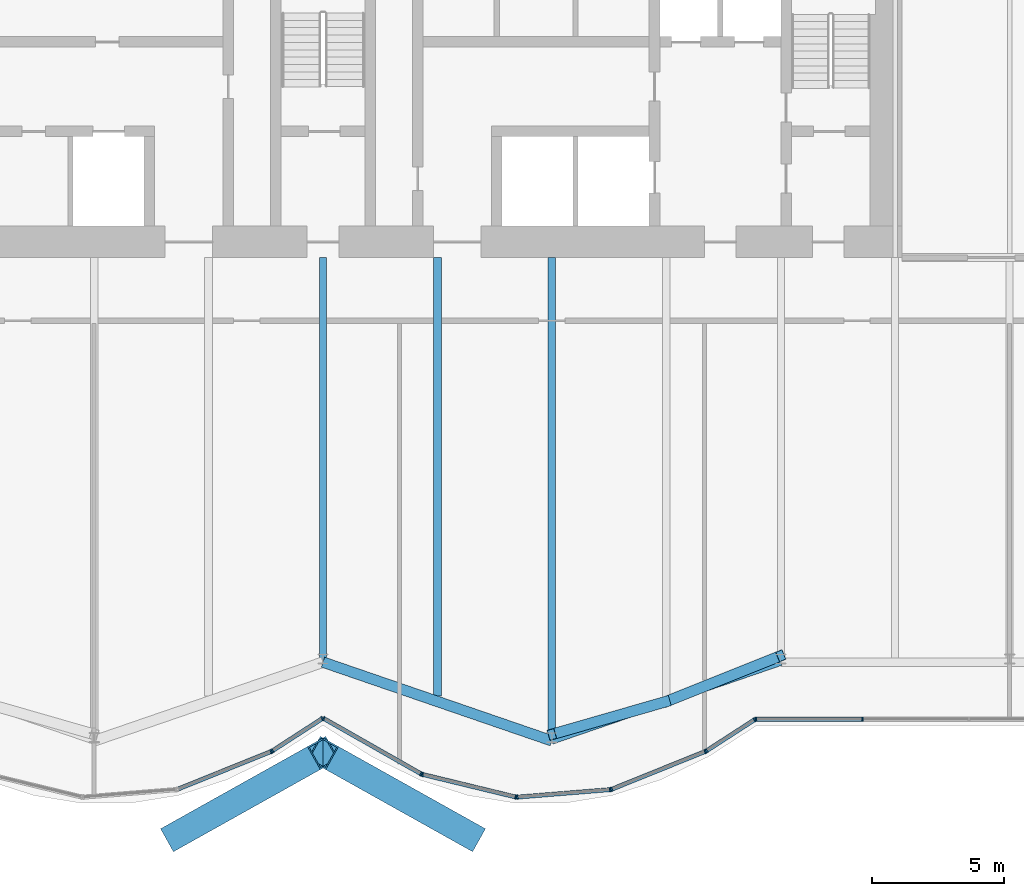
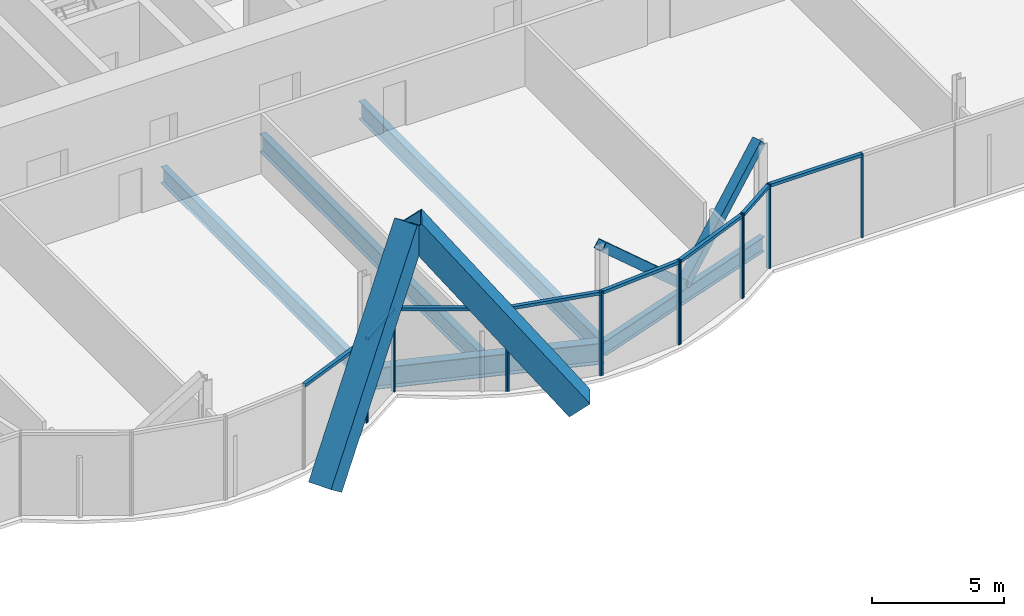
# One storey, part 8 of 20: 27 members, 5 beams, 3 elements without a shape of their own.
"""IFC4 building model written with IfcOpenShell, lengths in metres."""

from ifc_helpers import new_model, si_unit, direction, frame, origin, origin_2d, place, context, subcontext, project, spatial, rectangle, hollow_rectangle, i_section, extrude, material, material_profile, profile_set, type_object, element, aggregate, save


model = new_model("IFC4")

# Units and contexts
model_context = context("Model", 3, precision=1e-05, world=origin(), true_north=direction((0.0, 1.0)))
body_context = subcontext(model_context, "Body", "Model", "MODEL_VIEW")
ifc_project = project(units=[si_unit("LENGTHUNIT", "METRE"), si_unit("AREAUNIT", "SQUARE_METRE"), si_unit("VOLUMEUNIT", "CUBIC_METRE"), si_unit("PLANEANGLEUNIT", "RADIAN"), si_unit("MASSUNIT", "GRAM", prefix="KILO")], contexts=[model_context])

# Site, building, storey
site_placement = place(None, origin())
site = spatial("IfcSite", under=ifc_project, at=site_placement, CompositionType="ELEMENT")
building_placement = place(site_placement, origin())
building = spatial("IfcBuilding", under=site, at=building_placement, Name="Bicima Exchange Tower", CompositionType="ELEMENT")
storey_placement = place(building_placement, frame((0.0, 0.0, 231.89990234375)))
storey = spatial("IfcBuildingStorey", under=building, at=storey_placement, Name="L52", CompositionType="ELEMENT", Elevation=231.89990234375)

# Members
ifc_material_1 = material(Name="Steel ASTM A572 Gr 50", Category="steel")
ifc_material_profile_1 = material_profile(ifc_material_1, hollow_rectangle(XDim=1.0, YDim=1.0, WallThickness=0.06005859375, at=origin_2d()))
ifc_profile_set_1 = profile_set([ifc_material_profile_1], Name="Steel ASTM A572 Gr 50")
member_type_1 = type_object("IfcMemberType", Name="Exo mega brace BOX 1000x1000x60", PredefinedType="BRACE", material=ifc_profile_set_1)
for number, where, z_axis, x_axis, name in (
    (1, (-5.583251953125, -34.95166015625, 0.183349609375), (0.528115519354, 0.295406608228, 0.796133741297), (-0.488177989042, 0.872744092512, 0.0), "Exo mega brace front"),
    (2, (5.583251953125, -34.95166015625, 0.183349609375), (-0.528115519354, 0.295406608228, 0.796133741297), (-0.488177989042, -0.872744092512, 0.0), "Exo mega brace front"),
):
    element("IfcMember", number, at=place(storey_placement, frame(where, z_axis=z_axis, x_axis=x_axis)), inside=storey, type_object=member_type_1, Name=name, PredefinedType="BRACE", context=body_context, shape_type="SweptSolid", body=[
        extrude(hollow_rectangle(XDim=1.0, YDim=1.0, WallThickness=0.06005859375, at=origin_2d()), origin(), (0.0, 0.0, 1.0), 10.572021484375),
    ])

# Beams
ifc_material_2 = material(Name="Steel ASTM A992 Gr 50", Category="steel")
ifc_material_profile_2 = material_profile(ifc_material_2, i_section(OverallWidth=0.2666015625, OverallDepth=0.75439453125, WebThickness=0.01318359375, FlangeThickness=0.01708984375, at=origin_2d()))
ifc_profile_set_2 = profile_set([ifc_material_profile_2], Name="Steel ASTM A992 Gr 50")
beam_type_1 = type_object("IfcBeamType", Name="Floor beam W30x99", PredefinedType="JOIST", material=ifc_profile_set_2)
beam_1_placement = place(storey_placement, frame((0.0, -13.0, -0.527099609375), z_axis=(0.0, -1.0, 0.0), x_axis=(1.0, 0.0, 0.0)))
element("IfcBeam", 3, at=beam_1_placement, inside=storey, type_object=beam_type_1, Name="Floor beam", PredefinedType="JOIST", context=body_context, shape_type="SweptSolid", body=[
    extrude(i_section(OverallWidth=0.2666015625, OverallDepth=0.75439453125, WebThickness=0.01318359375, FlangeThickness=0.01708984375, at=origin_2d()), origin(), (0.0, 0.0, 1.0), 15.3759765625),
])
ifc_material_profile_3 = material_profile(ifc_material_2, i_section(OverallWidth=0.2919921875, OverallDepth=0.835693359375, WebThickness=0.013916015625, FlangeThickness=0.018798828125, at=origin_2d()))
ifc_profile_set_3 = profile_set([ifc_material_profile_3], Name="Steel ASTM A992 Gr 50")
beam_type_2 = type_object("IfcBeamType", Name="Floor beam W33x118", PredefinedType="JOIST", material=ifc_profile_set_3)
beam_2_placement = place(storey_placement, frame((4.35009765625, -13.0, -0.567626953125), z_axis=(0.0, -1.0, 0.0), x_axis=(1.0, 0.0, 0.0)))
element("IfcBeam", 4, at=beam_2_placement, inside=storey, type_object=beam_type_2, Name="Floor beam", PredefinedType="JOIST", context=body_context, shape_type="SweptSolid", body=[
    extrude(i_section(OverallWidth=0.2919921875, OverallDepth=0.835693359375, WebThickness=0.013916015625, FlangeThickness=0.018798828125, at=origin_2d()), origin(), (0.0, 0.0, 1.0), 16.6591796875),
])
beam_3_placement = place(storey_placement, frame((8.699951171875, -13.0, -0.567626953125), z_axis=(0.0, -1.0, 0.0), x_axis=(1.0, 0.0, 0.0)))
element("IfcBeam", 5, at=beam_3_placement, inside=storey, type_object=beam_type_2, Name="Floor beam", PredefinedType="JOIST", context=body_context, shape_type="SweptSolid", body=[
    extrude(i_section(OverallWidth=0.2919921875, OverallDepth=0.835693359375, WebThickness=0.013916015625, FlangeThickness=0.018798828125, at=origin_2d()), origin(), (0.0, 0.0, 1.0), 18.15478515625),
])
ifc_material_profile_4 = material_profile(ifc_material_2, i_section(OverallWidth=0.256591796875, OverallDepth=0.693359375, WebThickness=0.014404296875, FlangeThickness=0.023681640625, at=origin_2d()))
ifc_profile_set_4 = profile_set([ifc_material_profile_4], Name="Steel ASTM A992 Gr 50")
beam_type_3 = type_object("IfcBeamType", Name="Front girder W27x114", PredefinedType="BEAM", material=ifc_profile_set_4)
beam_4_placement = place(storey_placement, frame((8.699951171875, -31.3671875, -0.49658203125), z_axis=(0.945666456746, 0.325138359143, 0.0), x_axis=(-0.325138359143, 0.945666456746, 0.0)))
element("IfcBeam", 6, at=beam_4_placement, inside=storey, type_object=beam_type_3, Name="Front girder", PredefinedType="BEAM", context=body_context, shape_type="SweptSolid", body=[
    extrude(i_section(OverallWidth=0.256591796875, OverallDepth=0.693359375, WebThickness=0.014404296875, FlangeThickness=0.023681640625, at=origin_2d()), origin(), (0.0, 0.0, 1.0), 9.19970703125),
])
ifc_material_profile_5 = material_profile(ifc_material_2, i_section(OverallWidth=0.4013671875, OverallDepth=0.990478515625, WebThickness=0.0166015625, FlangeThickness=0.031005859375, at=origin_2d()))
ifc_profile_set_5 = profile_set([ifc_material_profile_5], Name="Steel ASTM A992 Gr 50")
beam_type_4 = type_object("IfcBeamType", Name="Front girder W40x215", PredefinedType="BEAM", material=ifc_profile_set_5)
beam_5_placement = place(storey_placement, frame((0.0, -28.3759765625, -0.645263671875), z_axis=(0.945666456746, -0.325138359143, 0.0), x_axis=(0.325138359143, 0.945666456746, 0.0)))
element("IfcBeam", 7, at=beam_5_placement, inside=storey, type_object=beam_type_4, Name="Front girder", PredefinedType="BEAM", context=body_context, shape_type="SweptSolid", body=[
    extrude(i_section(OverallWidth=0.4013671875, OverallDepth=0.990478515625, WebThickness=0.0166015625, FlangeThickness=0.031005859375, at=origin_2d()), origin(), (0.0, 0.0, 1.0), 9.19970703125),
])

# Curtain wall, members
ifc_material_3 = material(Name="Anodised bronze aluminium", Category="aluminium")
curtain_wall_type = type_object("IfcCurtainWallType", Name="Front glass wall", PredefinedType="NOTDEFINED", material=ifc_material_3)
curtain_wall_1_placement = place(storey_placement, origin())
curtain_wall_1 = element("IfcCurtainWall", 8, at=curtain_wall_1_placement, inside=storey, type_object=curtain_wall_type, Name="Front glass wall L52 run 6", PredefinedType="NOTDEFINED")
ifc_material_profile_6 = material_profile(ifc_material_3, rectangle(XDim=0.159912109375, YDim=0.06005859375, at=origin_2d()))
ifc_profile_set_6 = profile_set([ifc_material_profile_6], Name="Anodised bronze aluminium")
member_type_2 = type_object("IfcMemberType", Name="Front glass wall mullion 60 x 160", PredefinedType="MULLION", material=ifc_profile_set_6)
member_1_placement = place(storey_placement, frame((-1.97412109375, -31.771484375, 0.0), z_axis=(0.0, 0.0, 1.0), x_axis=(-0.374705304, 0.92714396679, 0.0)))
member_1 = element("IfcMember", 9, at=member_1_placement, type_object=member_type_2, Name="Front glass wall mullion 2", PredefinedType="MULLION", context=body_context, shape_type="SweptSolid", body=[
    extrude(rectangle(XDim=0.159912109375, YDim=0.06005859375, at=origin_2d()), origin(), (0.0, 0.0, 1.0), 3.900146484375),
])
member_2_placement = place(storey_placement, frame((-1.921142578125, -31.744140625, 0.0), z_axis=(0.0, 0.0, 1.0), x_axis=(-0.542897457326, 0.839798994301, 0.0)))
member_2 = element("IfcMember", 10, at=member_2_placement, type_object=member_type_2, Name="Front glass wall mullion 1", PredefinedType="MULLION", context=body_context, shape_type="SweptSolid", body=[
    extrude(rectangle(XDim=0.159912109375, YDim=0.06005859375, at=origin_2d()), origin(), (0.0, 0.0, 1.0), 3.900146484375),
])
member_3_placement = place(storey_placement, frame((-0.025146484375, -30.518310546875, 0.0), z_axis=(0.0, 0.0, 1.0), x_axis=(-0.542897457326, 0.839798994301, 0.0)))
member_3 = element("IfcMember", 11, at=member_3_placement, type_object=member_type_2, Name="Front glass wall mullion 2", PredefinedType="MULLION", context=body_context, shape_type="SweptSolid", body=[
    extrude(rectangle(XDim=0.159912109375, YDim=0.06005859375, at=origin_2d()), origin(), (0.0, 0.0, 1.0), 3.900146484375),
])

curtain_wall_2_placement = place(storey_placement, origin())
curtain_wall_2 = element("IfcCurtainWall", 12, at=curtain_wall_2_placement, inside=storey, type_object=curtain_wall_type, Name="Front glass wall L52 run 11", PredefinedType="NOTDEFINED")
member_4_placement = place(storey_placement, frame((0.026123046875, -30.51708984375, 0.0), z_axis=(0.0, 0.0, 1.0), x_axis=(0.494330311331, 0.869274147378, 0.0)))
member_4 = element("IfcMember", 13, at=member_4_placement, type_object=member_type_2, Name="Front glass wall mullion 1", PredefinedType="MULLION", context=body_context, shape_type="SweptSolid", body=[
    extrude(rectangle(XDim=0.159912109375, YDim=0.06005859375, at=origin_2d()), origin(), (0.0, 0.0, 1.0), 3.900146484375),
])
member_5_placement = place(storey_placement, frame((3.7265625, -32.621337890625, 0.0), z_axis=(0.0, 0.0, 1.0), x_axis=(0.494330311331, 0.869274147378, 0.0)))
member_5 = element("IfcMember", 14, at=member_5_placement, type_object=member_type_2, Name="Front glass wall mullion 2", PredefinedType="MULLION", context=body_context, shape_type="SweptSolid", body=[
    extrude(rectangle(XDim=0.159912109375, YDim=0.06005859375, at=origin_2d()), origin(), (0.0, 0.0, 1.0), 3.900146484375),
])
member_6_placement = place(storey_placement, frame((3.781982421875, -32.643310546875, 0.0), z_axis=(0.0, 0.0, 1.0), x_axis=(0.235681529503, 0.971830343553, 0.0)))
member_6 = element("IfcMember", 15, at=member_6_placement, type_object=member_type_2, Name="Front glass wall mullion 1", PredefinedType="MULLION", context=body_context, shape_type="SweptSolid", body=[
    extrude(rectangle(XDim=0.159912109375, YDim=0.06005859375, at=origin_2d()), origin(), (0.0, 0.0, 1.0), 3.900146484375),
])
member_7_placement = place(storey_placement, frame((7.322509765625, -33.501953125, 0.0), z_axis=(0.0, 0.0, 1.0), x_axis=(0.235681529503, 0.971830343553, 0.0)))
member_7 = element("IfcMember", 16, at=member_7_placement, type_object=member_type_2, Name="Front glass wall mullion 2", PredefinedType="MULLION", context=body_context, shape_type="SweptSolid", body=[
    extrude(rectangle(XDim=0.159912109375, YDim=0.06005859375, at=origin_2d()), origin(), (0.0, 0.0, 1.0), 3.900146484375),
])
member_8_placement = place(storey_placement, frame((7.381591796875, -33.506591796875, 0.0), z_axis=(0.0, 0.0, 1.0), x_axis=(-0.080588612633, 0.99674744821, 0.0)))
member_8 = element("IfcMember", 17, at=member_8_placement, type_object=member_type_2, Name="Front glass wall mullion 1", PredefinedType="MULLION", context=body_context, shape_type="SweptSolid", body=[
    extrude(rectangle(XDim=0.159912109375, YDim=0.06005859375, at=origin_2d()), origin(), (0.0, 0.0, 1.0), 3.900146484375),
])
member_9_placement = place(storey_placement, frame((10.916015625, -33.220703125, 0.0), z_axis=(0.0, 0.0, 1.0), x_axis=(-0.080588612633, 0.99674744821, 0.0)))
member_9 = element("IfcMember", 18, at=member_9_placement, type_object=member_type_2, Name="Front glass wall mullion 2", PredefinedType="MULLION", context=body_context, shape_type="SweptSolid", body=[
    extrude(rectangle(XDim=0.159912109375, YDim=0.06005859375, at=origin_2d()), origin(), (0.0, 0.0, 1.0), 3.900146484375),
])
member_10_placement = place(storey_placement, frame((10.973876953125, -33.207275390625, 0.0), z_axis=(0.0, 0.0, 1.0), x_axis=(-0.374705304, 0.92714396679, 0.0)))
member_10 = element("IfcMember", 19, at=member_10_placement, type_object=member_type_2, Name="Front glass wall mullion 1", PredefinedType="MULLION", context=body_context, shape_type="SweptSolid", body=[
    extrude(rectangle(XDim=0.159912109375, YDim=0.06005859375, at=origin_2d()), origin(), (0.0, 0.0, 1.0), 3.900146484375),
])
member_11_placement = place(storey_placement, frame((14.52587890625, -31.771484375, 0.0), z_axis=(0.0, 0.0, 1.0), x_axis=(-0.374705304, 0.92714396679, 0.0)))
member_11 = element("IfcMember", 20, at=member_11_placement, type_object=member_type_2, Name="Front glass wall mullion 2", PredefinedType="MULLION", context=body_context, shape_type="SweptSolid", body=[
    extrude(rectangle(XDim=0.159912109375, YDim=0.06005859375, at=origin_2d()), origin(), (0.0, 0.0, 1.0), 3.900146484375),
])
member_12_placement = place(storey_placement, frame((14.578857421875, -31.744140625, 0.0), z_axis=(0.0, 0.0, 1.0), x_axis=(-0.542909183079, 0.839791413941, 0.0)))
member_12 = element("IfcMember", 21, at=member_12_placement, type_object=member_type_2, Name="Front glass wall mullion 1", PredefinedType="MULLION", context=body_context, shape_type="SweptSolid", body=[
    extrude(rectangle(XDim=0.159912109375, YDim=0.06005859375, at=origin_2d()), origin(), (0.0, 0.0, 1.0), 3.900146484375),
])
member_13_placement = place(storey_placement, frame((16.406982421875, -30.562255859375, 0.0), z_axis=(0.0, 0.0, 1.0), x_axis=(-0.542909183079, 0.839791413941, 0.0)))
member_13 = element("IfcMember", 22, at=member_13_placement, type_object=member_type_2, Name="Front glass wall mullion 2", PredefinedType="MULLION", context=body_context, shape_type="SweptSolid", body=[
    extrude(rectangle(XDim=0.159912109375, YDim=0.06005859375, at=origin_2d()), origin(), (0.0, 0.0, 1.0), 3.900146484375),
])

curtain_wall_3_placement = place(storey_placement, origin())
curtain_wall_3 = element("IfcCurtainWall", 23, at=curtain_wall_3_placement, inside=storey, type_object=curtain_wall_type, Name="Front glass wall L52 run 16", PredefinedType="NOTDEFINED")
member_14_placement = place(storey_placement, frame((16.462158203125, -30.5458984375, 0.0), z_axis=(0.0, 0.0, 1.0), x_axis=(0.0, 1.0, 0.0)))
member_14 = element("IfcMember", 24, at=member_14_placement, type_object=member_type_2, Name="Front glass wall mullion 1", PredefinedType="MULLION", context=body_context, shape_type="SweptSolid", body=[
    extrude(rectangle(XDim=0.159912109375, YDim=0.06005859375, at=origin_2d()), origin(), (0.0, 0.0, 1.0), 3.900146484375),
])
member_15_placement = place(storey_placement, frame((20.51171875, -30.5458984375, 0.0), z_axis=(0.0, 0.0, 1.0), x_axis=(0.0, 1.0, 0.0)))
member_15 = element("IfcMember", 25, at=member_15_placement, type_object=member_type_2, Name="Front glass wall mullion 2", PredefinedType="MULLION", context=body_context, shape_type="SweptSolid", body=[
    extrude(rectangle(XDim=0.159912109375, YDim=0.06005859375, at=origin_2d()), origin(), (0.0, 0.0, 1.0), 3.900146484375),
])

# Member
ifc_material_profile_7 = material_profile(ifc_material_3, rectangle(XDim=0.159912109375, YDim=0.139892578125, at=origin_2d()))
ifc_profile_set_7 = profile_set([ifc_material_profile_7], Name="Anodised bronze aluminium")
member_type_3 = type_object("IfcMemberType", Name="Front glass wall transom 140 x 160", PredefinedType="USERDEFINED", material=ifc_profile_set_7)
member_16_placement = place(storey_placement, frame((-5.498291015625, -33.19580078125, 3.830078125), z_axis=(0.927140215882, 0.374714584842, 0.0), x_axis=(-0.374714584842, 0.927140215882, 0.0)))
member_16 = element("IfcMember", 26, at=member_16_placement, type_object=member_type_3, Name="Front glass wall transom 1.1", ObjectType="TRANSOM", PredefinedType="USERDEFINED", context=body_context, shape_type="SweptSolid", body=[
    extrude(rectangle(XDim=0.159912109375, YDim=0.139892578125, at=origin_2d()), origin(), (0.0, 0.0, 1.0), 3.77099609375),
])

member_17_placement = place(storey_placement, frame((-1.89599609375, -31.727783203125, 3.830078125), z_axis=(0.839811483481, 0.542878137536, 0.0), x_axis=(-0.542878137536, 0.839811483481, 0.0)))
member_17 = element("IfcMember", 27, at=member_17_placement, type_object=member_type_3, Name="Front glass wall transom 1.1", ObjectType="TRANSOM", PredefinedType="USERDEFINED", context=body_context, shape_type="SweptSolid", body=[
    extrude(rectangle(XDim=0.159912109375, YDim=0.139892578125, at=origin_2d()), origin(), (0.0, 0.0, 1.0), 2.19775390625),
])

aggregate(curtain_wall_1, [member_1, member_16, member_2, member_3, member_17])

member_18_placement = place(storey_placement, frame((0.05224609375, -30.53173828125, 3.830078125), z_axis=(0.869265121745, -0.494346182466, 0.0), x_axis=(0.494346182466, 0.869265121745, 0.0)))
member_18 = element("IfcMember", 28, at=member_18_placement, type_object=member_type_3, Name="Front glass wall transom 1.1", ObjectType="TRANSOM", PredefinedType="USERDEFINED", context=body_context, shape_type="SweptSolid", body=[
    extrude(rectangle(XDim=0.159912109375, YDim=0.139892578125, at=origin_2d()), origin(), (0.0, 0.0, 1.0), 4.19677734375),
])

member_19_placement = place(storey_placement, frame((3.81103515625, -32.650390625, 3.830078125), z_axis=(0.971833557815, -0.235668275132, 0.0), x_axis=(0.235668275132, 0.971833557815, 0.0)))
member_19 = element("IfcMember", 29, at=member_19_placement, type_object=member_type_3, Name="Front glass wall transom 1.1", ObjectType="TRANSOM", PredefinedType="USERDEFINED", context=body_context, shape_type="SweptSolid", body=[
    extrude(rectangle(XDim=0.159912109375, YDim=0.139892578125, at=origin_2d()), origin(), (0.0, 0.0, 1.0), 3.583251953125),
])

member_20_placement = place(storey_placement, frame((7.41162109375, -33.504150390625, 3.830078125), z_axis=(0.9967456465, 0.080610893699, 0.0), x_axis=(-0.080610893699, 0.9967456465, 0.0)))
member_20 = element("IfcMember", 30, at=member_20_placement, type_object=member_type_3, Name="Front glass wall transom 1.1", ObjectType="TRANSOM", PredefinedType="USERDEFINED", context=body_context, shape_type="SweptSolid", body=[
    extrude(rectangle(XDim=0.159912109375, YDim=0.139892578125, at=origin_2d()), origin(), (0.0, 0.0, 1.0), 3.48583984375),
])

member_21_placement = place(storey_placement, frame((11.001708984375, -33.19580078125, 3.830078125), z_axis=(0.927140215882, 0.374714584842, 0.0), x_axis=(-0.374714584842, 0.927140215882, 0.0)))
member_21 = element("IfcMember", 31, at=member_21_placement, type_object=member_type_3, Name="Front glass wall transom 1.1", ObjectType="TRANSOM", PredefinedType="USERDEFINED", context=body_context, shape_type="SweptSolid", body=[
    extrude(rectangle(XDim=0.159912109375, YDim=0.139892578125, at=origin_2d()), origin(), (0.0, 0.0, 1.0), 3.77099609375),
])

member_22_placement = place(storey_placement, frame((14.60400390625, -31.727783203125, 3.830078125), z_axis=(0.839792890287, 0.542906899407, 0.0), x_axis=(-0.542906899407, 0.839792890287, 0.0)))
member_22 = element("IfcMember", 32, at=member_22_placement, type_object=member_type_3, Name="Front glass wall transom 1.1", ObjectType="TRANSOM", PredefinedType="USERDEFINED", context=body_context, shape_type="SweptSolid", body=[
    extrude(rectangle(XDim=0.159912109375, YDim=0.139892578125, at=origin_2d()), origin(), (0.0, 0.0, 1.0), 2.11669921875),
])

aggregate(curtain_wall_2, [member_4, member_5, member_18, member_6, member_7, member_19, member_8, member_9, member_20, member_10, member_11, member_21, member_12, member_13, member_22])

member_23_placement = place(storey_placement, frame((16.4921875, -30.5458984375, 3.830078125), z_axis=(1.0, 0.0, 0.0), x_axis=(0.0, 1.0, 0.0)))
member_23 = element("IfcMember", 33, at=member_23_placement, type_object=member_type_3, Name="Front glass wall transom 1.1", ObjectType="TRANSOM", PredefinedType="USERDEFINED", context=body_context, shape_type="SweptSolid", body=[
    extrude(rectangle(XDim=0.159912109375, YDim=0.139892578125, at=origin_2d()), origin(), (0.0, 0.0, 1.0), 3.989501953125),
])

aggregate(curtain_wall_3, [member_14, member_15, member_23])

# Members
ifc_material_profile_8 = material_profile(ifc_material_1, hollow_rectangle(XDim=0.406494140625, YDim=0.406494140625, WallThickness=0.0146484375, at=origin_2d()))
ifc_profile_set_8 = profile_set([ifc_material_profile_8], Name="Steel ASTM A572 Gr 50")
member_type_4 = type_object("IfcMemberType", Name="Mega brace HSS16x16x5/8", PredefinedType="BRACE", material=ifc_profile_set_8)
member_24_placement = place(storey_placement, frame((13.050048828125, -29.87158203125, 0.0), z_axis=(0.69870612412, 0.279411861388, 0.658588463179), x_axis=(-0.371309808925, 0.928509033772, 0.0)))
element("IfcMember", 34, at=member_24_placement, inside=storey, type_object=member_type_4, Name="Mega brace front", PredefinedType="BRACE", context=body_context, shape_type="SweptSolid", body=[
    extrude(hollow_rectangle(XDim=0.406494140625, YDim=0.406494140625, WallThickness=0.0146484375, at=origin_2d()), origin(), (0.0, 0.0, 1.0), 6.2255859375),
])
member_25_placement = place(storey_placement, frame((13.050048828125, -29.87158203125, 0.0), z_axis=(-0.712266893938, -0.204909647453, 0.671332933931), x_axis=(0.276473064615, -0.961021667052, 0.0)))
element("IfcMember", 35, at=member_25_placement, inside=storey, type_object=member_type_4, Name="Mega brace front", PredefinedType="BRACE", context=body_context, shape_type="SweptSolid", body=[
    extrude(hollow_rectangle(XDim=0.406494140625, YDim=0.406494140625, WallThickness=0.0146484375, at=origin_2d()), origin(), (0.0, 0.0, 1.0), 6.107421875),
])

save(model, "model.ifc")
